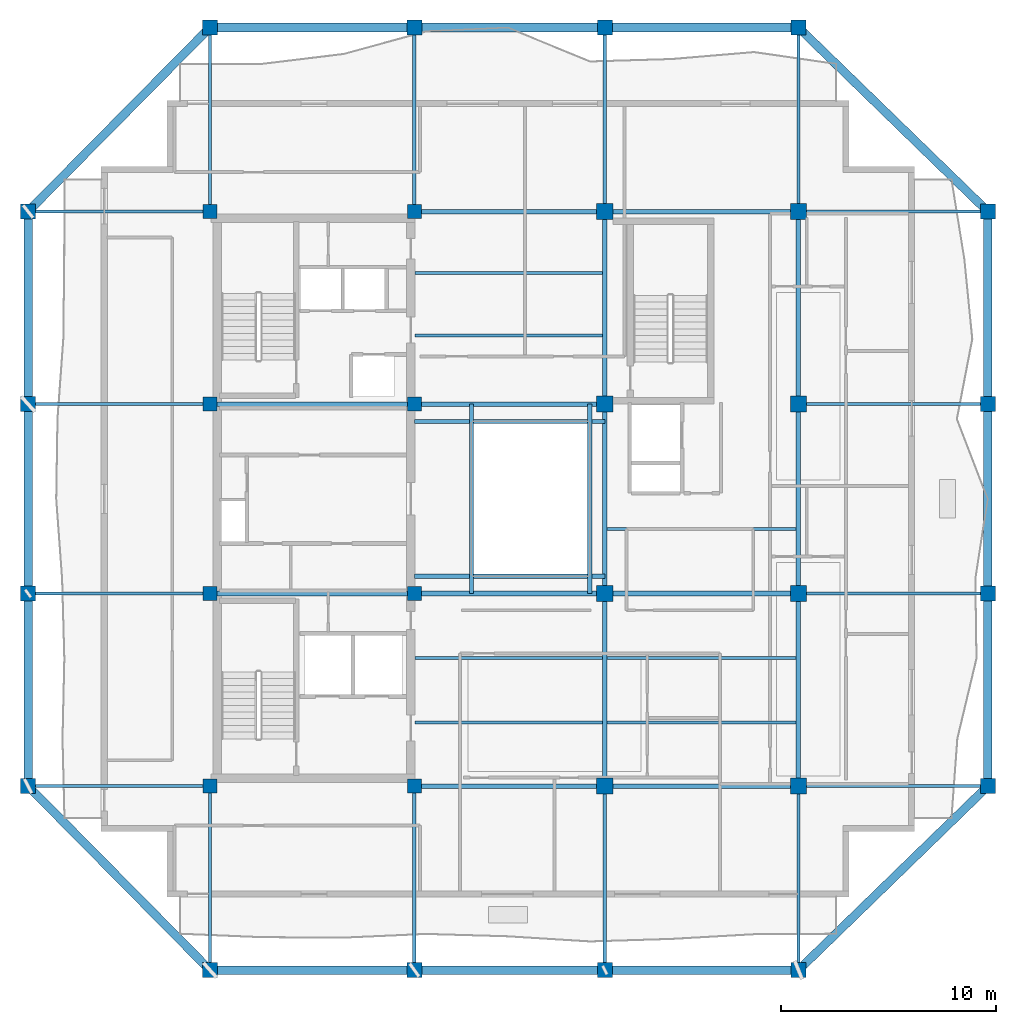
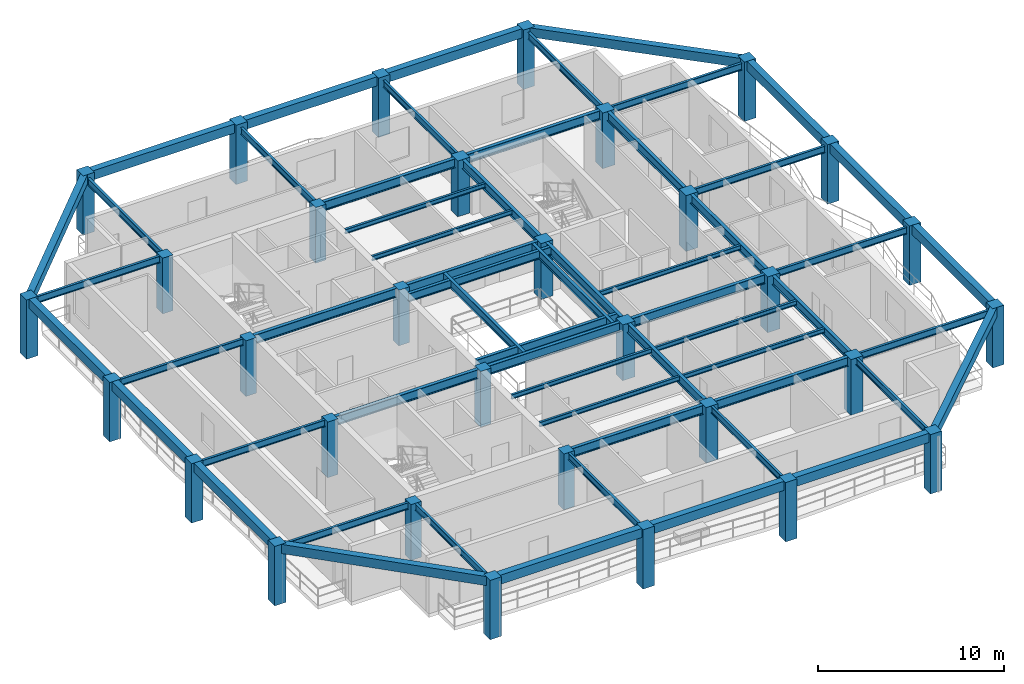
# One storey, part 1 of 10: 58 beams, 32 columns.
"""IFC4 building model written with IfcOpenShell, lengths in metres."""

from ifc_helpers import new_model, si_unit, direction, frame, origin, origin_2d, place, context, subcontext, project, spatial, rectangle, i_section, extrude, material, material_profile, profile_set, type_object, element, save


model = new_model("IFC4")

# Units and contexts
model_context = context("Model", 3, precision=1e-05, world=origin(), true_north=direction((0.0, 1.0)))
body_context = subcontext(model_context, "Body", "Model", "MODEL_VIEW")
ifc_project = project(units=[si_unit("LENGTHUNIT", "METRE"), si_unit("AREAUNIT", "SQUARE_METRE"), si_unit("VOLUMEUNIT", "CUBIC_METRE"), si_unit("PLANEANGLEUNIT", "RADIAN"), si_unit("MASSUNIT", "GRAM", prefix="KILO")], contexts=[model_context])

# Site, building, storey
site_placement = place(None, origin())
site = spatial("IfcSite", under=ifc_project, at=site_placement, CompositionType="ELEMENT")
building_placement = place(site_placement, origin())
building = spatial("IfcBuilding", under=site, at=building_placement, Name="Kundavana Baori Tower", CompositionType="ELEMENT")
storey_placement = place(building_placement, frame((0.0, 0.0, 299.89990234375)))
storey = spatial("IfcBuildingStorey", under=building, at=storey_placement, Name="L74", CompositionType="ELEMENT", Elevation=299.89990234375)

# Columns
ifc_material_1 = material(Name="Concrete C50/60", Category="concrete")
ifc_material_profile_1 = material_profile(ifc_material_1, rectangle(XDim=0.699951171875, YDim=0.699951171875, at=origin_2d()), Name="RC PF 700x700")
ifc_profile_set_1 = profile_set([ifc_material_profile_1], Name="Concrete C50/60")
column_type_1 = type_object("IfcColumnType", Name="COL-PF-700", PredefinedType="COLUMN", material=ifc_profile_set_1)
for number, where, z_axis, x_axis, name in (
    (1, (15.449951171875, 6.699951171875, 0.0), (0.0, 0.0, 1.0), (1.0, 0.0, 0.0), "L74 Stone-Clad Perimeter Frame Column PF-S1"),
    (2, (15.449951171875, 50.5, 0.0), (0.0, 0.0, 1.0), (1.0, 0.0, 0.0), "L74 Stone-Clad Perimeter Frame Column PF-N1"),
    (3, (24.949951171875, 6.699951171875, 0.0), (0.0, 0.0, 1.0), (1.0, 0.0, 0.0), "L74 Stone-Clad Perimeter Frame Column PF-S2"),
    (4, (24.949951171875, 50.5, 0.0), (0.0, 0.0, 1.0), (1.0, 0.0, 0.0), "L74 Stone-Clad Perimeter Frame Column PF-N2"),
    (5, (33.800048828125, 6.699951171875, 0.0), (0.0, 0.0, 1.0), (1.0, 0.0, 0.0), "L74 Stone-Clad Perimeter Frame Column PF-S3"),
    (6, (33.800048828125, 50.5, 0.0), (0.0, 0.0, 1.0), (1.0, 0.0, 0.0), "L74 Stone-Clad Perimeter Frame Column PF-N3"),
    (7, (42.800048828125, 6.699951171875, 0.0), (0.0, 0.0, 1.0), (1.0, 0.0, 0.0), "L74 Stone-Clad Perimeter Frame Column PF-S4"),
    (8, (42.800048828125, 50.5, 0.0), (0.0, 0.0, 1.0), (1.0, 0.0, 0.0), "L74 Stone-Clad Perimeter Frame Column PF-N4"),
    (9, (7.0, 15.25, 0.0), (0.0, 0.0, 1.0), (1.0, 0.0, 0.0), "L74 Stone-Clad Perimeter Frame Column PF-W1"),
    (10, (51.60009765625, 15.25, 0.0), (0.0, 0.0, 1.0), (1.0, 0.0, 0.0), "L74 Stone-Clad Perimeter Frame Column PF-E1"),
    (11, (7.0, 24.199951171875, 0.0), (0.0, 0.0, 1.0), (1.0, 0.0, 0.0), "L74 Stone-Clad Perimeter Frame Column PF-W2"),
    (12, (51.60009765625, 24.199951171875, 0.0), (0.0, 0.0, 1.0), (1.0, 0.0, 0.0), "L74 Stone-Clad Perimeter Frame Column PF-E2"),
    (13, (7.0, 33.0, 0.0), (0.0, 0.0, 1.0), (1.0, 0.0, 0.0), "L74 Stone-Clad Perimeter Frame Column PF-W3"),
    (14, (51.60009765625, 33.0, 0.0), (0.0, 0.0, 1.0), (1.0, 0.0, 0.0), "L74 Stone-Clad Perimeter Frame Column PF-E3"),
    (15, (7.0, 41.949951171875, 0.0), (0.0, 0.0, 1.0), (1.0, 0.0, 0.0), "L74 Stone-Clad Perimeter Frame Column PF-W4"),
    (16, (51.60009765625, 41.949951171875, 0.0), (0.0, 0.0, 1.0), (1.0, 0.0, 0.0), "L74 Stone-Clad Perimeter Frame Column PF-E4"),
):
    element("IfcColumn", number, at=place(storey_placement, frame(where, z_axis=z_axis, x_axis=x_axis)), inside=storey, type_object=column_type_1, Name=name, PredefinedType="COLUMN", context=body_context, shape_type="SweptSolid", body=[
        extrude(rectangle(XDim=0.699951171875, YDim=0.699951171875, at=origin_2d()), origin(), (0.0, 0.0, 1.0), 3.900146484375),
    ])
ifc_material_2 = material(Name="Concrete C50/60", Category="concrete")
ifc_material_profile_2 = material_profile(ifc_material_2, rectangle(XDim=0.64990234375, YDim=0.64990234375, at=origin_2d()), Name="RC 650x650")
ifc_profile_set_2 = profile_set([ifc_material_profile_2], Name="Concrete C50/60")
column_type_2 = type_object("IfcColumnType", Name="COL-RC-650", PredefinedType="COLUMN", material=ifc_profile_set_2)
for number, where, z_axis, x_axis, name in (
    (17, (15.449951171875, 15.25, 0.0), (0.0, 0.0, 1.0), (1.0, 0.0, 0.0), "L74 Interior Column IC-3C"),
    (18, (15.449951171875, 24.199951171875, 0.0), (0.0, 0.0, 1.0), (1.0, 0.0, 0.0), "L74 Interior Column IC-3D"),
    (19, (15.449951171875, 33.0, 0.0), (0.0, 0.0, 1.0), (1.0, 0.0, 0.0), "L74 Interior Column IC-3E"),
    (20, (15.449951171875, 41.949951171875, 0.0), (0.0, 0.0, 1.0), (1.0, 0.0, 0.0), "L74 Interior Column IC-3F"),
    (21, (24.949951171875, 15.25, 0.0), (0.0, 0.0, 1.0), (1.0, 0.0, 0.0), "L74 Interior Column IC-4C"),
    (22, (24.949951171875, 24.199951171875, 0.0), (0.0, 0.0, 1.0), (1.0, 0.0, 0.0), "L74 Interior Column IC-4D"),
    (23, (24.949951171875, 33.0, 0.0), (0.0, 0.0, 1.0), (1.0, 0.0, 0.0), "L74 Interior Column IC-4E"),
    (24, (24.949951171875, 41.949951171875, 0.0), (0.0, 0.0, 1.0), (1.0, 0.0, 0.0), "L74 Interior Column IC-4F"),
):
    element("IfcColumn", number, at=place(storey_placement, frame(where, z_axis=z_axis, x_axis=x_axis)), inside=storey, type_object=column_type_2, Name=name, PredefinedType="COLUMN", context=body_context, shape_type="SweptSolid", body=[
        extrude(rectangle(XDim=0.64990234375, YDim=0.64990234375, at=origin_2d()), origin(), (0.0, 0.0, 1.0), 3.66015625),
    ])
ifc_material_3 = material(Name="Concrete C50/60", Category="concrete")
ifc_material_profile_3 = material_profile(ifc_material_3, rectangle(XDim=0.75, YDim=0.75, at=origin_2d()), Name="RC 750x750")
ifc_profile_set_3 = profile_set([ifc_material_profile_3], Name="Concrete C50/60")
column_type_3 = type_object("IfcColumnType", Name="COL-RC-750", PredefinedType="COLUMN", material=ifc_profile_set_3)
for number, where, z_axis, x_axis, name in (
    (25, (33.800048828125, 15.25, 0.0), (0.0, 0.0, 1.0), (1.0, 0.0, 0.0), "L74 Interior Column IC-5C"),
    (26, (33.800048828125, 24.199951171875, 0.0), (0.0, 0.0, 1.0), (1.0, 0.0, 0.0), "L74 Interior Column IC-5D"),
    (27, (33.800048828125, 33.0, 0.0), (0.0, 0.0, 1.0), (1.0, 0.0, 0.0), "L74 Interior Column IC-5E"),
    (28, (33.800048828125, 41.949951171875, 0.0), (0.0, 0.0, 1.0), (1.0, 0.0, 0.0), "L74 Interior Column IC-5F"),
    (29, (42.800048828125, 15.25, 0.0), (0.0, 0.0, 1.0), (1.0, 0.0, 0.0), "L74 Interior Column IC-6C"),
    (30, (42.800048828125, 24.199951171875, 0.0), (0.0, 0.0, 1.0), (1.0, 0.0, 0.0), "L74 Interior Column IC-6D"),
    (31, (42.800048828125, 33.0, 0.0), (0.0, 0.0, 1.0), (1.0, 0.0, 0.0), "L74 Interior Column IC-6E"),
    (32, (42.800048828125, 41.949951171875, 0.0), (0.0, 0.0, 1.0), (1.0, 0.0, 0.0), "L74 Interior Column IC-6F"),
):
    element("IfcColumn", number, at=place(storey_placement, frame(where, z_axis=z_axis, x_axis=x_axis)), inside=storey, type_object=column_type_3, Name=name, PredefinedType="COLUMN", context=body_context, shape_type="SweptSolid", body=[
        extrude(rectangle(XDim=0.75, YDim=0.75, at=origin_2d()), origin(), (0.0, 0.0, 1.0), 3.66015625),
    ])

# Beams
ifc_material_4 = material(Name="Concrete C50/60", Category="concrete")
ifc_material_profile_4 = material_profile(ifc_material_4, rectangle(XDim=0.39990234375, YDim=0.60009765625, at=origin_2d()), Name="RC BM 400x600")
ifc_profile_set_4 = profile_set([ifc_material_profile_4], Name="Concrete C50/60")
beam_type_1 = type_object("IfcBeamType", Name="BM-PF-600", PredefinedType="SPANDREL", material=ifc_profile_set_4)
beam_1_placement = place(storey_placement, frame((15.449951171875, 6.699951171875, 3.60009765625), z_axis=(1.0, 0.0, 0.0), x_axis=(0.0, 1.0, 0.0)))
element("IfcBeam", 33, at=beam_1_placement, inside=storey, type_object=beam_type_1, Name="L74 Perimeter Frame Ring Beam S1", PredefinedType="SPANDREL", context=body_context, shape_type="SweptSolid", body=[
    extrude(rectangle(XDim=0.39990234375, YDim=0.60009765625, at=origin_2d()), origin(), (0.0, 0.0, 1.0), 9.5),
])
beam_2_placement = place(storey_placement, frame((24.949951171875, 6.699951171875, 3.60009765625), z_axis=(1.0, 0.0, 0.0), x_axis=(0.0, 1.0, 0.0)))
element("IfcBeam", 34, at=beam_2_placement, inside=storey, type_object=beam_type_1, Name="L74 Perimeter Frame Ring Beam S2", PredefinedType="SPANDREL", context=body_context, shape_type="SweptSolid", body=[
    extrude(rectangle(XDim=0.39990234375, YDim=0.60009765625, at=origin_2d()), origin(), (0.0, 0.0, 1.0), 8.85009765625),
])
beam_3_placement = place(storey_placement, frame((33.800048828125, 6.699951171875, 3.60009765625), z_axis=(1.0, 0.0, 0.0), x_axis=(0.0, 1.0, 0.0)))
element("IfcBeam", 35, at=beam_3_placement, inside=storey, type_object=beam_type_1, Name="L74 Perimeter Frame Ring Beam S3", PredefinedType="SPANDREL", context=body_context, shape_type="SweptSolid", body=[
    extrude(rectangle(XDim=0.39990234375, YDim=0.60009765625, at=origin_2d()), origin(), (0.0, 0.0, 1.0), 9.0),
])
beam_4_placement = place(storey_placement, frame((15.449951171875, 50.5, 3.60009765625), z_axis=(1.0, 0.0, 0.0), x_axis=(0.0, 1.0, 0.0)))
element("IfcBeam", 36, at=beam_4_placement, inside=storey, type_object=beam_type_1, Name="L74 Perimeter Frame Ring Beam N1", PredefinedType="SPANDREL", context=body_context, shape_type="SweptSolid", body=[
    extrude(rectangle(XDim=0.39990234375, YDim=0.60009765625, at=origin_2d()), origin(), (0.0, 0.0, 1.0), 9.5),
])
beam_5_placement = place(storey_placement, frame((24.949951171875, 50.5, 3.60009765625), z_axis=(1.0, 0.0, 0.0), x_axis=(0.0, 1.0, 0.0)))
element("IfcBeam", 37, at=beam_5_placement, inside=storey, type_object=beam_type_1, Name="L74 Perimeter Frame Ring Beam N2", PredefinedType="SPANDREL", context=body_context, shape_type="SweptSolid", body=[
    extrude(rectangle(XDim=0.39990234375, YDim=0.60009765625, at=origin_2d()), origin(), (0.0, 0.0, 1.0), 8.85009765625),
])
beam_6_placement = place(storey_placement, frame((33.800048828125, 50.5, 3.60009765625), z_axis=(1.0, 0.0, 0.0), x_axis=(0.0, 1.0, 0.0)))
element("IfcBeam", 38, at=beam_6_placement, inside=storey, type_object=beam_type_1, Name="L74 Perimeter Frame Ring Beam N3", PredefinedType="SPANDREL", context=body_context, shape_type="SweptSolid", body=[
    extrude(rectangle(XDim=0.39990234375, YDim=0.60009765625, at=origin_2d()), origin(), (0.0, 0.0, 1.0), 9.0),
])
beam_7_placement = place(storey_placement, frame((7.0, 15.25, 3.60009765625), z_axis=(0.0, 1.0, 0.0), x_axis=(-1.0, 0.0, 0.0)))
element("IfcBeam", 39, at=beam_7_placement, inside=storey, type_object=beam_type_1, Name="L74 Perimeter Frame Ring Beam W1", PredefinedType="SPANDREL", context=body_context, shape_type="SweptSolid", body=[
    extrude(rectangle(XDim=0.39990234375, YDim=0.60009765625, at=origin_2d()), origin(), (0.0, 0.0, 1.0), 8.949951171875),
])
beam_8_placement = place(storey_placement, frame((7.0, 24.199951171875, 3.60009765625), z_axis=(0.0, 1.0, 0.0), x_axis=(-1.0, 0.0, 0.0)))
element("IfcBeam", 40, at=beam_8_placement, inside=storey, type_object=beam_type_1, Name="L74 Perimeter Frame Ring Beam W2", PredefinedType="SPANDREL", context=body_context, shape_type="SweptSolid", body=[
    extrude(rectangle(XDim=0.39990234375, YDim=0.60009765625, at=origin_2d()), origin(), (0.0, 0.0, 1.0), 8.800048828125),
])
for number, where, z_axis, x_axis, name in (
    (41, (7.0, 33.0, 3.60009765625), (0.0, 1.0, 0.0), (-1.0, 0.0, 0.0), "L74 Perimeter Frame Ring Beam W3"),
    (42, (51.60009765625, 15.25, 3.60009765625), (0.0, 1.0, 0.0), (-1.0, 0.0, 0.0), "L74 Perimeter Frame Ring Beam E1"),
):
    element("IfcBeam", number, at=place(storey_placement, frame(where, z_axis=z_axis, x_axis=x_axis)), inside=storey, type_object=beam_type_1, Name=name, PredefinedType="SPANDREL", context=body_context, shape_type="SweptSolid", body=[
        extrude(rectangle(XDim=0.39990234375, YDim=0.60009765625, at=origin_2d()), origin(), (0.0, 0.0, 1.0), 8.949951171875),
    ])
beam_9_placement = place(storey_placement, frame((51.60009765625, 24.199951171875, 3.60009765625), z_axis=(0.0, 1.0, 0.0), x_axis=(-1.0, 0.0, 0.0)))
element("IfcBeam", 43, at=beam_9_placement, inside=storey, type_object=beam_type_1, Name="L74 Perimeter Frame Ring Beam E2", PredefinedType="SPANDREL", context=body_context, shape_type="SweptSolid", body=[
    extrude(rectangle(XDim=0.39990234375, YDim=0.60009765625, at=origin_2d()), origin(), (0.0, 0.0, 1.0), 8.800048828125),
])
beam_10_placement = place(storey_placement, frame((51.60009765625, 33.0, 3.60009765625), z_axis=(0.0, 1.0, 0.0), x_axis=(-1.0, 0.0, 0.0)))
element("IfcBeam", 44, at=beam_10_placement, inside=storey, type_object=beam_type_1, Name="L74 Perimeter Frame Ring Beam E3", PredefinedType="SPANDREL", context=body_context, shape_type="SweptSolid", body=[
    extrude(rectangle(XDim=0.39990234375, YDim=0.60009765625, at=origin_2d()), origin(), (0.0, 0.0, 1.0), 8.949951171875),
])
beam_11_placement = place(storey_placement, frame((15.449951171875, 6.699951171875, 3.60009765625), z_axis=(-0.702931082472, 0.711257965365, 0.0), x_axis=(-0.711257965365, -0.702931082472, 0.0)))
element("IfcBeam", 45, at=beam_11_placement, inside=storey, type_object=beam_type_1, Name="L74 Notched Corner Perimeter Beam SW", PredefinedType="SPANDREL", context=body_context, shape_type="SweptSolid", body=[
    extrude(rectangle(XDim=0.39990234375, YDim=0.60009765625, at=origin_2d()), origin(), (0.0, 0.0, 1.0), 12.02099609375),
])
beam_12_placement = place(storey_placement, frame((42.800048828125, 6.699951171875, 3.60009765625), z_axis=(0.717221130298, 0.696845643062, 0.0), x_axis=(-0.696845643062, 0.717221130298, 0.0)))
element("IfcBeam", 46, at=beam_12_placement, inside=storey, type_object=beam_type_1, Name="L74 Notched Corner Perimeter Beam SE", PredefinedType="SPANDREL", context=body_context, shape_type="SweptSolid", body=[
    extrude(rectangle(XDim=0.39990234375, YDim=0.60009765625, at=origin_2d()), origin(), (0.0, 0.0, 1.0), 12.26953125),
])
beam_13_placement = place(storey_placement, frame((15.449951171875, 50.5, 3.60009765625), z_axis=(-0.702931082472, -0.711257965365, 0.0), x_axis=(0.711257965365, -0.702931082472, 0.0)))
element("IfcBeam", 47, at=beam_13_placement, inside=storey, type_object=beam_type_1, Name="L74 Notched Corner Perimeter Beam NW", PredefinedType="SPANDREL", context=body_context, shape_type="SweptSolid", body=[
    extrude(rectangle(XDim=0.39990234375, YDim=0.60009765625, at=origin_2d()), origin(), (0.0, 0.0, 1.0), 12.02099609375),
])
beam_14_placement = place(storey_placement, frame((42.800048828125, 50.5, 3.60009765625), z_axis=(0.717221130298, -0.696845643062, 0.0), x_axis=(0.696845643062, 0.717221130298, 0.0)))
element("IfcBeam", 48, at=beam_14_placement, inside=storey, type_object=beam_type_1, Name="L74 Notched Corner Perimeter Beam NE", PredefinedType="SPANDREL", context=body_context, shape_type="SweptSolid", body=[
    extrude(rectangle(XDim=0.39990234375, YDim=0.60009765625, at=origin_2d()), origin(), (0.0, 0.0, 1.0), 12.26953125),
])
ifc_material_5 = material(Name="Structural Steel S355JR", Category="steel")
ifc_material_profile_5 = material_profile(ifc_material_5, i_section(OverallWidth=0.139892578125, OverallDepth=0.300048828125, WebThickness=0.0078125, FlangeThickness=0.01318359375, FilletRadius=0.013916015625, at=origin_2d()), Name="ISMB 300")
ifc_profile_set_5 = profile_set([ifc_material_profile_5], Name="Structural Steel S355JR")
beam_type_2 = type_object("IfcBeamType", Name="BM-RF-300", PredefinedType="BEAM", material=ifc_profile_set_5)
for number, where, z_axis, x_axis, name in (
    (49, (24.97998046875, 18.199951171875, 3.510009765625), (1.0, 0.0, 0.0), (0.0, 1.0, 0.0), "L74 Central Bay Composite Floor Joist C1"),
    (50, (24.97998046875, 21.199951171875, 3.510009765625), (1.0, 0.0, 0.0), (0.0, 1.0, 0.0), "L74 Central Bay Composite Floor Joist C2"),
    (51, (24.97998046875, 36.199951171875, 3.510009765625), (1.0, 0.0, 0.0), (0.0, 1.0, 0.0), "L74 Central Bay Composite Floor Joist C3"),
    (52, (24.97998046875, 39.10009765625, 3.510009765625), (1.0, 0.0, 0.0), (0.0, 1.0, 0.0), "L74 Central Bay Composite Floor Joist C4"),
):
    element("IfcBeam", number, at=place(storey_placement, frame(where, z_axis=z_axis, x_axis=x_axis)), inside=storey, type_object=beam_type_2, Name=name, PredefinedType="BEAM", context=body_context, shape_type="SweptSolid", body=[
        extrude(i_section(OverallWidth=0.139892578125, OverallDepth=0.300048828125, WebThickness=0.0078125, FlangeThickness=0.01318359375, FilletRadius=0.013916015625, at=origin_2d()), origin(), (0.0, 0.0, 1.0), 8.715087890625),
    ])
for number, where, z_axis, x_axis, name in (
    (53, (33.905029296875, 18.199951171875, 3.510009765625), (1.0, 0.0, 0.0), (0.0, 1.0, 0.0), "L74 East Bay Composite Floor Joist E1"),
    (54, (33.905029296875, 21.199951171875, 3.510009765625), (1.0, 0.0, 0.0), (0.0, 1.0, 0.0), "L74 East Bay Composite Floor Joist E2"),
    (55, (33.905029296875, 27.199951171875, 3.510009765625), (1.0, 0.0, 0.0), (0.0, 1.0, 0.0), "L74 East Bay Composite Floor Joist E3"),
):
    element("IfcBeam", number, at=place(storey_placement, frame(where, z_axis=z_axis, x_axis=x_axis)), inside=storey, type_object=beam_type_2, Name=name, PredefinedType="BEAM", context=body_context, shape_type="SweptSolid", body=[
        extrude(i_section(OverallWidth=0.139892578125, OverallDepth=0.300048828125, WebThickness=0.0078125, FlangeThickness=0.01318359375, FilletRadius=0.013916015625, at=origin_2d()), origin(), (0.0, 0.0, 1.0), 8.7900390625),
    ])
ifc_material_6 = material(Name="Structural Steel S355JR", Category="steel")
ifc_material_profile_6 = material_profile(ifc_material_6, i_section(OverallWidth=0.18994140625, OverallDepth=0.550048828125, WebThickness=0.01123046875, FlangeThickness=0.019287109375, FilletRadius=0.01806640625, at=origin_2d()), Name="ISMB 550")
ifc_profile_set_6 = profile_set([ifc_material_profile_6], Name="Structural Steel S355JR")
beam_type_3 = type_object("IfcBeamType", Name="BM-ST-550", PredefinedType="BEAM", material=ifc_profile_set_6)
for number, where, z_axis, x_axis, name in (
    (56, (27.60009765625, 24.199951171875, 3.385009765625), (0.0, 1.0, 0.0), (-1.0, 0.0, 0.0), "L74 Atrium West Edge Beam"),
    (57, (33.10009765625, 24.199951171875, 3.385009765625), (0.0, 1.0, 0.0), (-1.0, 0.0, 0.0), "L74 Atrium East Edge Beam"),
):
    element("IfcBeam", number, at=place(storey_placement, frame(where, z_axis=z_axis, x_axis=x_axis)), inside=storey, type_object=beam_type_3, Name=name, PredefinedType="BEAM", context=body_context, shape_type="SweptSolid", body=[
        extrude(i_section(OverallWidth=0.18994140625, OverallDepth=0.550048828125, WebThickness=0.01123046875, FlangeThickness=0.019287109375, FilletRadius=0.01806640625, at=origin_2d()), origin(), (0.0, 0.0, 1.0), 8.800048828125),
    ])
for number, where, z_axis, x_axis, name in (
    (58, (24.949951171875, 25.0, 3.385009765625), (1.0, 0.0, 0.0), (0.0, 1.0, 0.0), "L74 Atrium South Edge Beam"),
    (59, (24.949951171875, 32.199951171875, 3.385009765625), (1.0, 0.0, 0.0), (0.0, 1.0, 0.0), "L74 Atrium North Edge Beam"),
):
    element("IfcBeam", number, at=place(storey_placement, frame(where, z_axis=z_axis, x_axis=x_axis)), inside=storey, type_object=beam_type_3, Name=name, PredefinedType="BEAM", context=body_context, shape_type="SweptSolid", body=[
        extrude(i_section(OverallWidth=0.18994140625, OverallDepth=0.550048828125, WebThickness=0.01123046875, FlangeThickness=0.019287109375, FilletRadius=0.01806640625, at=origin_2d()), origin(), (0.0, 0.0, 1.0), 8.85009765625),
    ])
ifc_material_7 = material(Name="Structural Steel S355JR", Category="steel")
ifc_material_profile_7 = material_profile(ifc_material_7, i_section(OverallWidth=0.2099609375, OverallDepth=0.60009765625, WebThickness=0.011962890625, FlangeThickness=0.020751953125, FilletRadius=0.02001953125, at=origin_2d()), Name="ISMB 600")
ifc_profile_set_7 = profile_set([ifc_material_profile_7], Name="Structural Steel S355JR")
beam_type_4 = type_object("IfcBeamType", Name="BM-ST-600", PredefinedType="BEAM", material=ifc_profile_set_7)
beam_15_placement = place(storey_placement, frame((24.949951171875, 15.25, 3.360107421875), z_axis=(1.0, 0.0, 0.0), x_axis=(0.0, 1.0, 0.0)))
element("IfcBeam", 60, at=beam_15_placement, inside=storey, type_object=beam_type_4, Name="L74 Primary Grid Girder GX-1-2", PredefinedType="BEAM", context=body_context, shape_type="SweptSolid", body=[
    extrude(i_section(OverallWidth=0.2099609375, OverallDepth=0.60009765625, WebThickness=0.011962890625, FlangeThickness=0.020751953125, FilletRadius=0.02001953125, at=origin_2d()), origin(), (0.0, 0.0, 1.0), 8.85009765625),
])
beam_16_placement = place(storey_placement, frame((33.800048828125, 15.25, 3.360107421875), z_axis=(1.0, 0.0, 0.0), x_axis=(0.0, 1.0, 0.0)))
element("IfcBeam", 61, at=beam_16_placement, inside=storey, type_object=beam_type_4, Name="L74 Primary Grid Girder GX-1-3", PredefinedType="BEAM", context=body_context, shape_type="SweptSolid", body=[
    extrude(i_section(OverallWidth=0.2099609375, OverallDepth=0.60009765625, WebThickness=0.011962890625, FlangeThickness=0.020751953125, FilletRadius=0.02001953125, at=origin_2d()), origin(), (0.0, 0.0, 1.0), 9.0),
])
beam_17_placement = place(storey_placement, frame((15.449951171875, 24.199951171875, 3.360107421875), z_axis=(1.0, 0.0, 0.0), x_axis=(0.0, 1.0, 0.0)))
element("IfcBeam", 62, at=beam_17_placement, inside=storey, type_object=beam_type_4, Name="L74 Primary Grid Girder GX-2-1", PredefinedType="BEAM", context=body_context, shape_type="SweptSolid", body=[
    extrude(i_section(OverallWidth=0.2099609375, OverallDepth=0.60009765625, WebThickness=0.011962890625, FlangeThickness=0.020751953125, FilletRadius=0.02001953125, at=origin_2d()), origin(), (0.0, 0.0, 1.0), 9.5),
])
beam_18_placement = place(storey_placement, frame((24.949951171875, 24.199951171875, 3.360107421875), z_axis=(1.0, 0.0, 0.0), x_axis=(0.0, 1.0, 0.0)))
element("IfcBeam", 63, at=beam_18_placement, inside=storey, type_object=beam_type_4, Name="L74 Primary Grid Girder GX-2-2", PredefinedType="BEAM", context=body_context, shape_type="SweptSolid", body=[
    extrude(i_section(OverallWidth=0.2099609375, OverallDepth=0.60009765625, WebThickness=0.011962890625, FlangeThickness=0.020751953125, FilletRadius=0.02001953125, at=origin_2d()), origin(), (0.0, 0.0, 1.0), 8.85009765625),
])
beam_19_placement = place(storey_placement, frame((33.800048828125, 24.199951171875, 3.360107421875), z_axis=(1.0, 0.0, 0.0), x_axis=(0.0, 1.0, 0.0)))
element("IfcBeam", 64, at=beam_19_placement, inside=storey, type_object=beam_type_4, Name="L74 Primary Grid Girder GX-2-3", PredefinedType="BEAM", context=body_context, shape_type="SweptSolid", body=[
    extrude(i_section(OverallWidth=0.2099609375, OverallDepth=0.60009765625, WebThickness=0.011962890625, FlangeThickness=0.020751953125, FilletRadius=0.02001953125, at=origin_2d()), origin(), (0.0, 0.0, 1.0), 9.0),
])
beam_20_placement = place(storey_placement, frame((15.449951171875, 33.0, 3.360107421875), z_axis=(1.0, 0.0, 0.0), x_axis=(0.0, 1.0, 0.0)))
element("IfcBeam", 65, at=beam_20_placement, inside=storey, type_object=beam_type_4, Name="L74 Primary Grid Girder GX-3-1", PredefinedType="BEAM", context=body_context, shape_type="SweptSolid", body=[
    extrude(i_section(OverallWidth=0.2099609375, OverallDepth=0.60009765625, WebThickness=0.011962890625, FlangeThickness=0.020751953125, FilletRadius=0.02001953125, at=origin_2d()), origin(), (0.0, 0.0, 1.0), 9.5),
])
for number, where, z_axis, x_axis, name in (
    (66, (24.949951171875, 33.0, 3.360107421875), (1.0, 0.0, 0.0), (0.0, 1.0, 0.0), "L74 Primary Grid Girder GX-3-2"),
    (67, (24.949951171875, 41.949951171875, 3.360107421875), (1.0, 0.0, 0.0), (0.0, 1.0, 0.0), "L74 Primary Grid Girder GX-4-2"),
):
    element("IfcBeam", number, at=place(storey_placement, frame(where, z_axis=z_axis, x_axis=x_axis)), inside=storey, type_object=beam_type_4, Name=name, PredefinedType="BEAM", context=body_context, shape_type="SweptSolid", body=[
        extrude(i_section(OverallWidth=0.2099609375, OverallDepth=0.60009765625, WebThickness=0.011962890625, FlangeThickness=0.020751953125, FilletRadius=0.02001953125, at=origin_2d()), origin(), (0.0, 0.0, 1.0), 8.85009765625),
    ])
beam_21_placement = place(storey_placement, frame((33.800048828125, 41.949951171875, 3.360107421875), z_axis=(1.0, 0.0, 0.0), x_axis=(0.0, 1.0, 0.0)))
element("IfcBeam", 68, at=beam_21_placement, inside=storey, type_object=beam_type_4, Name="L74 Primary Grid Girder GX-4-3", PredefinedType="BEAM", context=body_context, shape_type="SweptSolid", body=[
    extrude(i_section(OverallWidth=0.2099609375, OverallDepth=0.60009765625, WebThickness=0.011962890625, FlangeThickness=0.020751953125, FilletRadius=0.02001953125, at=origin_2d()), origin(), (0.0, 0.0, 1.0), 9.0),
])
beam_22_placement = place(storey_placement, frame((33.800048828125, 15.25, 3.360107421875), z_axis=(0.0, 1.0, 0.0), x_axis=(-1.0, 0.0, 0.0)))
element("IfcBeam", 69, at=beam_22_placement, inside=storey, type_object=beam_type_4, Name="L74 Primary Grid Girder GY-3-1", PredefinedType="BEAM", context=body_context, shape_type="SweptSolid", body=[
    extrude(i_section(OverallWidth=0.2099609375, OverallDepth=0.60009765625, WebThickness=0.011962890625, FlangeThickness=0.020751953125, FilletRadius=0.02001953125, at=origin_2d()), origin(), (0.0, 0.0, 1.0), 8.949951171875),
])
beam_23_placement = place(storey_placement, frame((33.800048828125, 24.199951171875, 3.360107421875), z_axis=(0.0, 1.0, 0.0), x_axis=(-1.0, 0.0, 0.0)))
element("IfcBeam", 70, at=beam_23_placement, inside=storey, type_object=beam_type_4, Name="L74 Primary Grid Girder GY-3-2", PredefinedType="BEAM", context=body_context, shape_type="SweptSolid", body=[
    extrude(i_section(OverallWidth=0.2099609375, OverallDepth=0.60009765625, WebThickness=0.011962890625, FlangeThickness=0.020751953125, FilletRadius=0.02001953125, at=origin_2d()), origin(), (0.0, 0.0, 1.0), 8.800048828125),
])
for number, where, z_axis, x_axis, name in (
    (71, (33.800048828125, 33.0, 3.360107421875), (0.0, 1.0, 0.0), (-1.0, 0.0, 0.0), "L74 Primary Grid Girder GY-3-3"),
    (72, (42.800048828125, 15.25, 3.360107421875), (0.0, 1.0, 0.0), (-1.0, 0.0, 0.0), "L74 Primary Grid Girder GY-4-1"),
):
    element("IfcBeam", number, at=place(storey_placement, frame(where, z_axis=z_axis, x_axis=x_axis)), inside=storey, type_object=beam_type_4, Name=name, PredefinedType="BEAM", context=body_context, shape_type="SweptSolid", body=[
        extrude(i_section(OverallWidth=0.2099609375, OverallDepth=0.60009765625, WebThickness=0.011962890625, FlangeThickness=0.020751953125, FilletRadius=0.02001953125, at=origin_2d()), origin(), (0.0, 0.0, 1.0), 8.949951171875),
    ])
beam_24_placement = place(storey_placement, frame((42.800048828125, 24.199951171875, 3.360107421875), z_axis=(0.0, 1.0, 0.0), x_axis=(-1.0, 0.0, 0.0)))
element("IfcBeam", 73, at=beam_24_placement, inside=storey, type_object=beam_type_4, Name="L74 Primary Grid Girder GY-4-2", PredefinedType="BEAM", context=body_context, shape_type="SweptSolid", body=[
    extrude(i_section(OverallWidth=0.2099609375, OverallDepth=0.60009765625, WebThickness=0.011962890625, FlangeThickness=0.020751953125, FilletRadius=0.02001953125, at=origin_2d()), origin(), (0.0, 0.0, 1.0), 8.800048828125),
])
beam_25_placement = place(storey_placement, frame((42.800048828125, 33.0, 3.360107421875), z_axis=(0.0, 1.0, 0.0), x_axis=(-1.0, 0.0, 0.0)))
element("IfcBeam", 74, at=beam_25_placement, inside=storey, type_object=beam_type_4, Name="L74 Primary Grid Girder GY-4-3", PredefinedType="BEAM", context=body_context, shape_type="SweptSolid", body=[
    extrude(i_section(OverallWidth=0.2099609375, OverallDepth=0.60009765625, WebThickness=0.011962890625, FlangeThickness=0.020751953125, FilletRadius=0.02001953125, at=origin_2d()), origin(), (0.0, 0.0, 1.0), 8.949951171875),
])
ifc_material_8 = material(Name="Structural Steel S355JR", Category="steel")
ifc_material_profile_8 = material_profile(ifc_material_8, i_section(OverallWidth=0.14990234375, OverallDepth=0.449951171875, WebThickness=0.009521484375, FlangeThickness=0.017333984375, FilletRadius=0.014892578125, at=origin_2d()), Name="ISMB 450")
ifc_profile_set_8 = profile_set([ifc_material_profile_8], Name="Structural Steel S355JR")
beam_type_5 = type_object("IfcBeamType", Name="BM-TIE-450", PredefinedType="BEAM", material=ifc_profile_set_8)
for number, where, z_axis, x_axis, name in (
    (75, (15.449951171875, 15.25, 3.43505859375), (0.0, -1.0, 0.0), (1.0, 0.0, 0.0), "L74 South Radial Loggia Tie Beam S1"),
    (76, (15.449951171875, 41.949951171875, 3.43505859375), (0.0, 1.0, 0.0), (-1.0, 0.0, 0.0), "L74 North Radial Loggia Tie Beam N1"),
    (77, (24.949951171875, 15.25, 3.43505859375), (0.0, -1.0, 0.0), (1.0, 0.0, 0.0), "L74 South Radial Loggia Tie Beam S2"),
    (78, (24.949951171875, 41.949951171875, 3.43505859375), (0.0, 1.0, 0.0), (-1.0, 0.0, 0.0), "L74 North Radial Loggia Tie Beam N2"),
    (79, (33.800048828125, 15.25, 3.43505859375), (0.0, -1.0, 0.0), (1.0, 0.0, 0.0), "L74 South Radial Loggia Tie Beam S3"),
    (80, (33.800048828125, 41.949951171875, 3.43505859375), (0.0, 1.0, 0.0), (-1.0, 0.0, 0.0), "L74 North Radial Loggia Tie Beam N3"),
    (81, (42.800048828125, 15.25, 3.43505859375), (0.0, -1.0, 0.0), (1.0, 0.0, 0.0), "L74 South Radial Loggia Tie Beam S4"),
    (82, (42.800048828125, 41.949951171875, 3.43505859375), (0.0, 1.0, 0.0), (-1.0, 0.0, 0.0), "L74 North Radial Loggia Tie Beam N4"),
):
    element("IfcBeam", number, at=place(storey_placement, frame(where, z_axis=z_axis, x_axis=x_axis)), inside=storey, type_object=beam_type_5, Name=name, PredefinedType="BEAM", context=body_context, shape_type="SweptSolid", body=[
        extrude(i_section(OverallWidth=0.14990234375, OverallDepth=0.449951171875, WebThickness=0.009521484375, FlangeThickness=0.017333984375, FilletRadius=0.014892578125, at=origin_2d()), origin(), (0.0, 0.0, 1.0), 8.550048828125),
    ])
beam_26_placement = place(storey_placement, frame((15.449951171875, 15.25, 3.43505859375), z_axis=(-1.0, 0.0, 0.0), x_axis=(0.0, -1.0, 0.0)))
element("IfcBeam", 83, at=beam_26_placement, inside=storey, type_object=beam_type_5, Name="L74 West Radial Loggia Tie Beam W1", PredefinedType="BEAM", context=body_context, shape_type="SweptSolid", body=[
    extrude(i_section(OverallWidth=0.14990234375, OverallDepth=0.449951171875, WebThickness=0.009521484375, FlangeThickness=0.017333984375, FilletRadius=0.014892578125, at=origin_2d()), origin(), (0.0, 0.0, 1.0), 8.449951171875),
])
beam_27_placement = place(storey_placement, frame((42.800048828125, 15.25, 3.43505859375), z_axis=(1.0, 0.0, 0.0), x_axis=(0.0, 1.0, 0.0)))
element("IfcBeam", 84, at=beam_27_placement, inside=storey, type_object=beam_type_5, Name="L74 East Radial Loggia Tie Beam E1", PredefinedType="BEAM", context=body_context, shape_type="SweptSolid", body=[
    extrude(i_section(OverallWidth=0.14990234375, OverallDepth=0.449951171875, WebThickness=0.009521484375, FlangeThickness=0.017333984375, FilletRadius=0.014892578125, at=origin_2d()), origin(), (0.0, 0.0, 1.0), 8.800048828125),
])
beam_28_placement = place(storey_placement, frame((15.449951171875, 24.199951171875, 3.43505859375), z_axis=(-1.0, 0.0, 0.0), x_axis=(0.0, -1.0, 0.0)))
element("IfcBeam", 85, at=beam_28_placement, inside=storey, type_object=beam_type_5, Name="L74 West Radial Loggia Tie Beam W2", PredefinedType="BEAM", context=body_context, shape_type="SweptSolid", body=[
    extrude(i_section(OverallWidth=0.14990234375, OverallDepth=0.449951171875, WebThickness=0.009521484375, FlangeThickness=0.017333984375, FilletRadius=0.014892578125, at=origin_2d()), origin(), (0.0, 0.0, 1.0), 8.449951171875),
])
beam_29_placement = place(storey_placement, frame((42.800048828125, 24.199951171875, 3.43505859375), z_axis=(1.0, 0.0, 0.0), x_axis=(0.0, 1.0, 0.0)))
element("IfcBeam", 86, at=beam_29_placement, inside=storey, type_object=beam_type_5, Name="L74 East Radial Loggia Tie Beam E2", PredefinedType="BEAM", context=body_context, shape_type="SweptSolid", body=[
    extrude(i_section(OverallWidth=0.14990234375, OverallDepth=0.449951171875, WebThickness=0.009521484375, FlangeThickness=0.017333984375, FilletRadius=0.014892578125, at=origin_2d()), origin(), (0.0, 0.0, 1.0), 8.800048828125),
])
beam_30_placement = place(storey_placement, frame((15.449951171875, 33.0, 3.43505859375), z_axis=(-1.0, 0.0, 0.0), x_axis=(0.0, -1.0, 0.0)))
element("IfcBeam", 87, at=beam_30_placement, inside=storey, type_object=beam_type_5, Name="L74 West Radial Loggia Tie Beam W3", PredefinedType="BEAM", context=body_context, shape_type="SweptSolid", body=[
    extrude(i_section(OverallWidth=0.14990234375, OverallDepth=0.449951171875, WebThickness=0.009521484375, FlangeThickness=0.017333984375, FilletRadius=0.014892578125, at=origin_2d()), origin(), (0.0, 0.0, 1.0), 8.449951171875),
])
beam_31_placement = place(storey_placement, frame((42.800048828125, 33.0, 3.43505859375), z_axis=(1.0, 0.0, 0.0), x_axis=(0.0, 1.0, 0.0)))
element("IfcBeam", 88, at=beam_31_placement, inside=storey, type_object=beam_type_5, Name="L74 East Radial Loggia Tie Beam E3", PredefinedType="BEAM", context=body_context, shape_type="SweptSolid", body=[
    extrude(i_section(OverallWidth=0.14990234375, OverallDepth=0.449951171875, WebThickness=0.009521484375, FlangeThickness=0.017333984375, FilletRadius=0.014892578125, at=origin_2d()), origin(), (0.0, 0.0, 1.0), 8.800048828125),
])
beam_32_placement = place(storey_placement, frame((15.449951171875, 41.949951171875, 3.43505859375), z_axis=(-1.0, 0.0, 0.0), x_axis=(0.0, -1.0, 0.0)))
element("IfcBeam", 89, at=beam_32_placement, inside=storey, type_object=beam_type_5, Name="L74 West Radial Loggia Tie Beam W4", PredefinedType="BEAM", context=body_context, shape_type="SweptSolid", body=[
    extrude(i_section(OverallWidth=0.14990234375, OverallDepth=0.449951171875, WebThickness=0.009521484375, FlangeThickness=0.017333984375, FilletRadius=0.014892578125, at=origin_2d()), origin(), (0.0, 0.0, 1.0), 8.449951171875),
])
beam_33_placement = place(storey_placement, frame((42.800048828125, 41.949951171875, 3.43505859375), z_axis=(1.0, 0.0, 0.0), x_axis=(0.0, 1.0, 0.0)))
element("IfcBeam", 90, at=beam_33_placement, inside=storey, type_object=beam_type_5, Name="L74 East Radial Loggia Tie Beam E4", PredefinedType="BEAM", context=body_context, shape_type="SweptSolid", body=[
    extrude(i_section(OverallWidth=0.14990234375, OverallDepth=0.449951171875, WebThickness=0.009521484375, FlangeThickness=0.017333984375, FilletRadius=0.014892578125, at=origin_2d()), origin(), (0.0, 0.0, 1.0), 8.800048828125),
])

save(model, "model.ifc")
